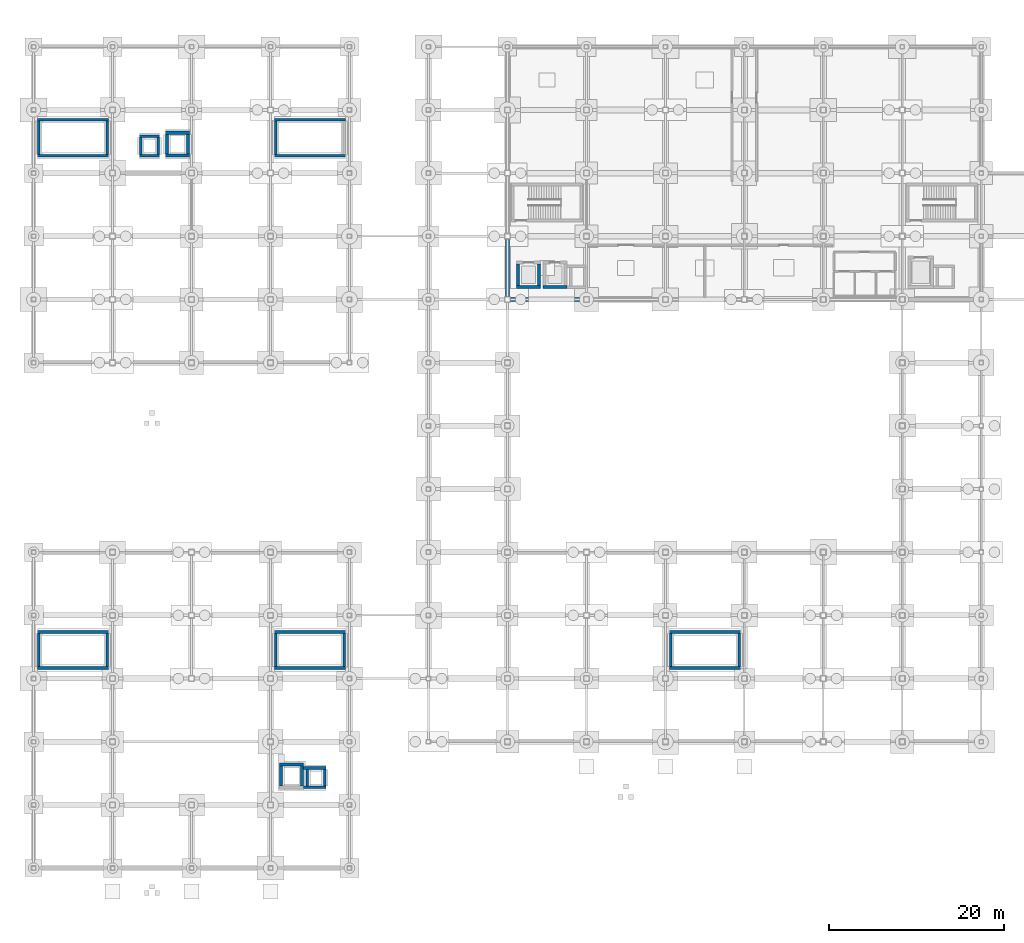
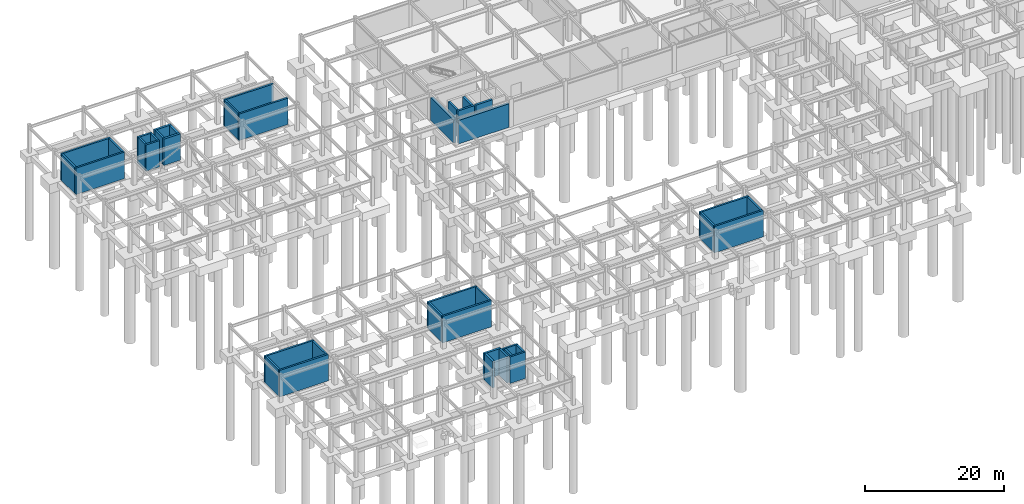
# One storey, part 21 of 28: 40 walls.
"""IFC4 building model written with IfcOpenShell, lengths in metres."""

from ifc_helpers import new_model, si_unit, direction, frame, frame_2d, origin, place, context, subcontext, project, spatial, rectangle, extrude, material, layer, layer_set, type_object, element, save


model = new_model("IFC4")

# Units and contexts
model_context = context("Model", 3, precision=1e-05, world=origin(), true_north=direction((0.0, 1.0)))
body_context = subcontext(model_context, "Body", "Model", "MODEL_VIEW")
ifc_project = project(units=[si_unit("LENGTHUNIT", "METRE"), si_unit("AREAUNIT", "SQUARE_METRE"), si_unit("VOLUMEUNIT", "CUBIC_METRE"), si_unit("PLANEANGLEUNIT", "RADIAN"), si_unit("MASSUNIT", "GRAM", prefix="KILO")], contexts=[model_context])

# Site, building, storey
site_placement = place(None, origin())
site = spatial("IfcSite", under=ifc_project, at=site_placement, CompositionType="ELEMENT")
building_placement = place(site_placement, origin())
building = spatial("IfcBuilding", under=site, at=building_placement, Name="Kazanami Central Library", CompositionType="ELEMENT")
storey_placement = place(building_placement, frame((0.0, 0.0, -4.89990234375)))
storey = spatial("IfcBuildingStorey", under=building, at=storey_placement, Name="B01", CompositionType="ELEMENT", Elevation=-4.89990234375)

# Walls
ifc_material = material(Name="Concrete Fc36 (36 MPa)", Category="concrete")
ifc_layer_1 = layer(ifc_material, 0.449951171875, Name="Concrete Fc36 (36 MPa)")
ifc_layer_set_1 = layer_set([ifc_layer_1], Name="Concrete Fc36 (36 MPa)")
wall_type_1 = type_object("IfcWallType", Name="WAL-RW-450", PredefinedType="SOLIDWALL", material=ifc_layer_set_1)
wall_1_placement = place(storey_placement, frame((54.324951171875, 64.800048828125, 0.0), z_axis=(0.0, 0.0, 1.0), x_axis=(1.0, 0.0, 0.0)))
element("IfcWall", 1, at=wall_1_placement, inside=storey, type_object=wall_type_1, Name="Basement Retaining Wall RW-450 S-K-07", PredefinedType="SOLIDWALL", context=body_context, shape_type="SweptSolid", body=[
    extrude(rectangle(XDim=8.35009765625, YDim=0.449951171875, at=frame_2d((4.175048828125, 0.0))), origin(), (0.0, 0.0, 1.0), 4.125),
])
wall_2_placement = place(storey_placement, frame((54.0, 65.125, 0.0), z_axis=(0.0, 0.0, 1.0), x_axis=(0.0, 1.0, 0.0)))
element("IfcWall", 2, at=wall_2_placement, inside=storey, type_object=wall_type_1, Name="Basement Retaining Wall RW-450 W-7-10", PredefinedType="SOLIDWALL", context=body_context, shape_type="SweptSolid", body=[
    extrude(rectangle(XDim=6.550048828125, YDim=0.449951171875, at=frame_2d((3.27490234375, 0.0))), origin(), (0.0, 0.0, 1.0), 4.02490234375),
])
ifc_layer_2 = layer(ifc_material, 0.300048828125, Name="Concrete Fc36 (36 MPa)")
ifc_layer_set_2 = layer_set([ifc_layer_2], Name="Concrete Fc36 (36 MPa)")
wall_type_2 = type_object("IfcWallType", Name="WAL-SW-300", PredefinedType="SHEAR", material=ifc_layer_set_2)
for number, where, z_axis, x_axis, name in (
    (3, (0.449951171875, 81.199951171875, 0.0), (0.0, 0.0, 1.0), (1.0, 0.0, 0.0), "Stair Sub-Grade Foundation Core Wall ST-05 S"),
    (4, (0.449951171875, 85.300048828125, 0.0), (0.0, 0.0, 1.0), (1.0, 0.0, 0.0), "Stair Sub-Grade Foundation Core Wall ST-05 N"),
):
    element("IfcWall", number, at=place(storey_placement, frame(where, z_axis=z_axis, x_axis=x_axis)), inside=storey, type_object=wall_type_2, Name=name, PredefinedType="SHEAR", context=body_context, shape_type="SweptSolid", body=[
        extrude(rectangle(XDim=8.10009765625, YDim=0.300048828125, at=frame_2d((4.050048828125, 0.0))), origin(), (0.0, 0.0, 1.0), 4.625),
    ])
for number, where, z_axis, x_axis, name in (
    (5, (0.60009765625, 81.35009765625, 0.0), (0.0, 0.0, 1.0), (0.0, 1.0, 0.0), "Stair Sub-Grade Foundation Core Wall ST-05 W"),
    (6, (8.39990234375, 81.35009765625, 0.0), (0.0, 0.0, 1.0), (0.0, 1.0, 0.0), "Stair Sub-Grade Foundation Core Wall ST-05 E"),
):
    element("IfcWall", number, at=place(storey_placement, frame(where, z_axis=z_axis, x_axis=x_axis)), inside=storey, type_object=wall_type_2, Name=name, PredefinedType="SHEAR", context=body_context, shape_type="SweptSolid", body=[
        extrude(rectangle(XDim=3.7998046875, YDim=0.300048828125, at=frame_2d((1.89990234375, 0.0))), origin(), (0.0, 0.0, 1.0), 4.625),
    ])
for number, where, z_axis, x_axis, name in (
    (7, (27.449951171875, 81.199951171875, 0.0), (0.0, 0.0, 1.0), (1.0, 0.0, 0.0), "Stair Sub-Grade Foundation Core Wall ST-06 S"),
    (8, (27.449951171875, 85.300048828125, 0.0), (0.0, 0.0, 1.0), (1.0, 0.0, 0.0), "Stair Sub-Grade Foundation Core Wall ST-06 N"),
):
    element("IfcWall", number, at=place(storey_placement, frame(where, z_axis=z_axis, x_axis=x_axis)), inside=storey, type_object=wall_type_2, Name=name, PredefinedType="SHEAR", context=body_context, shape_type="SweptSolid", body=[
        extrude(rectangle(XDim=8.10009765625, YDim=0.300048828125, at=frame_2d((4.050048828125, 0.0))), origin(), (0.0, 0.0, 1.0), 4.625),
    ])
wall_3_placement = place(storey_placement, frame((27.60009765625, 81.35009765625, 0.0), z_axis=(0.0, 0.0, 1.0), x_axis=(0.0, 1.0, 0.0)))
element("IfcWall", 9, at=wall_3_placement, inside=storey, type_object=wall_type_2, Name="Stair Sub-Grade Foundation Core Wall ST-06 W", PredefinedType="SHEAR", context=body_context, shape_type="SweptSolid", body=[
    extrude(rectangle(XDim=3.7998046875, YDim=0.300048828125, at=frame_2d((1.89990234375, 0.0))), origin(), (0.0, 0.0, 1.0), 4.625),
])
for number, where, z_axis, x_axis, name in (
    (10, (0.449951171875, 22.800048828125, 0.0), (0.0, 0.0, 1.0), (1.0, 0.0, 0.0), "Stair Sub-Grade Foundation Core Wall ST-07 S"),
    (11, (0.449951171875, 26.89990234375, 0.0), (0.0, 0.0, 1.0), (1.0, 0.0, 0.0), "Stair Sub-Grade Foundation Core Wall ST-07 N"),
):
    element("IfcWall", number, at=place(storey_placement, frame(where, z_axis=z_axis, x_axis=x_axis)), inside=storey, type_object=wall_type_2, Name=name, PredefinedType="SHEAR", context=body_context, shape_type="SweptSolid", body=[
        extrude(rectangle(XDim=8.10009765625, YDim=0.300048828125, at=frame_2d((4.050048828125, 0.0))), origin(), (0.0, 0.0, 1.0), 4.625),
    ])
for number, where, z_axis, x_axis, name in (
    (12, (0.60009765625, 22.949951171875, 0.0), (0.0, 0.0, 1.0), (0.0, 1.0, 0.0), "Stair Sub-Grade Foundation Core Wall ST-07 W"),
    (13, (8.39990234375, 22.949951171875, 0.0), (0.0, 0.0, 1.0), (0.0, 1.0, 0.0), "Stair Sub-Grade Foundation Core Wall ST-07 E"),
):
    element("IfcWall", number, at=place(storey_placement, frame(where, z_axis=z_axis, x_axis=x_axis)), inside=storey, type_object=wall_type_2, Name=name, PredefinedType="SHEAR", context=body_context, shape_type="SweptSolid", body=[
        extrude(rectangle(XDim=3.800048828125, YDim=0.300048828125, at=frame_2d((1.89990234375, 0.0))), origin(), (0.0, 0.0, 1.0), 4.625),
    ])
for number, where, z_axis, x_axis, name in (
    (14, (27.449951171875, 22.800048828125, 0.0), (0.0, 0.0, 1.0), (1.0, 0.0, 0.0), "Stair Sub-Grade Foundation Core Wall ST-08 S"),
    (15, (27.449951171875, 26.89990234375, 0.0), (0.0, 0.0, 1.0), (1.0, 0.0, 0.0), "Stair Sub-Grade Foundation Core Wall ST-08 N"),
):
    element("IfcWall", number, at=place(storey_placement, frame(where, z_axis=z_axis, x_axis=x_axis)), inside=storey, type_object=wall_type_2, Name=name, PredefinedType="SHEAR", context=body_context, shape_type="SweptSolid", body=[
        extrude(rectangle(XDim=8.10009765625, YDim=0.300048828125, at=frame_2d((4.050048828125, 0.0))), origin(), (0.0, 0.0, 1.0), 4.625),
    ])
for number, where, z_axis, x_axis, name in (
    (16, (27.60009765625, 22.949951171875, 0.0), (0.0, 0.0, 1.0), (0.0, 1.0, 0.0), "Stair Sub-Grade Foundation Core Wall ST-08 W"),
    (17, (35.39990234375, 22.949951171875, 0.0), (0.0, 0.0, 1.0), (0.0, 1.0, 0.0), "Stair Sub-Grade Foundation Core Wall ST-08 E"),
):
    element("IfcWall", number, at=place(storey_placement, frame(where, z_axis=z_axis, x_axis=x_axis)), inside=storey, type_object=wall_type_2, Name=name, PredefinedType="SHEAR", context=body_context, shape_type="SweptSolid", body=[
        extrude(rectangle(XDim=3.800048828125, YDim=0.300048828125, at=frame_2d((1.89990234375, 0.0))), origin(), (0.0, 0.0, 1.0), 4.625),
    ])
for number, where, z_axis, x_axis, name in (
    (18, (72.449951171875, 22.800048828125, 0.0), (0.0, 0.0, 1.0), (1.0, 0.0, 0.0), "Stair Sub-Grade Foundation Core Wall ST-09 S"),
    (19, (72.449951171875, 26.89990234375, 0.0), (0.0, 0.0, 1.0), (1.0, 0.0, 0.0), "Stair Sub-Grade Foundation Core Wall ST-09 N"),
):
    element("IfcWall", number, at=place(storey_placement, frame(where, z_axis=z_axis, x_axis=x_axis)), inside=storey, type_object=wall_type_2, Name=name, PredefinedType="SHEAR", context=body_context, shape_type="SweptSolid", body=[
        extrude(rectangle(XDim=8.10009765625, YDim=0.300048828125, at=frame_2d((4.050048828125, 0.0))), origin(), (0.0, 0.0, 1.0), 4.625),
    ])
for number, where, z_axis, x_axis, name in (
    (20, (72.60009765625, 22.949951171875, 0.0), (0.0, 0.0, 1.0), (0.0, 1.0, 0.0), "Stair Sub-Grade Foundation Core Wall ST-09 W"),
    (21, (80.39990234375, 22.949951171875, 0.0), (0.0, 0.0, 1.0), (0.0, 1.0, 0.0), "Stair Sub-Grade Foundation Core Wall ST-09 E"),
):
    element("IfcWall", number, at=place(storey_placement, frame(where, z_axis=z_axis, x_axis=x_axis)), inside=storey, type_object=wall_type_2, Name=name, PredefinedType="SHEAR", context=body_context, shape_type="SweptSolid", body=[
        extrude(rectangle(XDim=3.800048828125, YDim=0.300048828125, at=frame_2d((1.89990234375, 0.0))), origin(), (0.0, 0.0, 1.0), 4.625),
    ])
for number, where, z_axis, x_axis, name in (
    (22, (12.050048828125, 81.199951171875, 0.0), (0.0, 0.0, 1.0), (1.0, 0.0, 0.0), "Service Riser Wall RSR-V4-A S B01"),
    (23, (12.050048828125, 83.39990234375, 0.0), (0.0, 0.0, 1.0), (1.0, 0.0, 0.0), "Service Riser Wall RSR-V4-A N B01"),
):
    element("IfcWall", number, at=place(storey_placement, frame(where, z_axis=z_axis, x_axis=x_axis)), inside=storey, type_object=wall_type_2, Name=name, PredefinedType="SHEAR", context=body_context, shape_type="SweptSolid", body=[
        extrude(rectangle(XDim=2.300048828125, YDim=0.300048828125, at=frame_2d((1.14990234375, 0.0))), origin(), (0.0, 0.0, 1.0), 4.625),
    ])
for number, where, z_axis, x_axis, name in (
    (24, (12.199951171875, 81.35009765625, 0.0), (0.0, 0.0, 1.0), (0.0, 1.0, 0.0), "Service Riser Wall RSR-V4-A W B01"),
    (25, (14.199951171875, 81.35009765625, 0.0), (0.0, 0.0, 1.0), (0.0, 1.0, 0.0), "Service Riser Wall RSR-V4-A E B01"),
):
    element("IfcWall", number, at=place(storey_placement, frame(where, z_axis=z_axis, x_axis=x_axis)), inside=storey, type_object=wall_type_2, Name=name, PredefinedType="SHEAR", context=body_context, shape_type="SweptSolid", body=[
        extrude(rectangle(XDim=1.89990234375, YDim=0.300048828125, at=frame_2d((0.949951171875, 0.0))), origin(), (0.0, 0.0, 1.0), 4.625),
    ])
for number, where, z_axis, x_axis, name in (
    (26, (30.77490234375, 9.199951171875, 0.0), (0.0, 0.0, 1.0), (1.0, 0.0, 0.0), "Service Riser Wall RSR-V3-A S B01"),
    (27, (30.77490234375, 11.39990234375, 0.0), (0.0, 0.0, 1.0), (1.0, 0.0, 0.0), "Service Riser Wall RSR-V3-A N B01"),
):
    element("IfcWall", number, at=place(storey_placement, frame(where, z_axis=z_axis, x_axis=x_axis)), inside=storey, type_object=wall_type_2, Name=name, PredefinedType="SHEAR", context=body_context, shape_type="SweptSolid", body=[
        extrude(rectangle(XDim=2.5751953125, YDim=0.300048828125, at=frame_2d((1.28759765625, 0.0))), origin(), (0.0, 0.0, 1.0), 4.625),
    ])
for number, where, z_axis, x_axis, name in (
    (28, (31.199951171875, 9.35009765625, 0.0), (0.0, 0.0, 1.0), (0.0, 1.0, 0.0), "Service Riser Wall RSR-V3-A W B01"),
    (29, (33.199951171875, 9.35009765625, 0.0), (0.0, 0.0, 1.0), (0.0, 1.0, 0.0), "Service Riser Wall RSR-V3-A E B01"),
):
    element("IfcWall", number, at=place(storey_placement, frame(where, z_axis=z_axis, x_axis=x_axis)), inside=storey, type_object=wall_type_2, Name=name, PredefinedType="SHEAR", context=body_context, shape_type="SweptSolid", body=[
        extrude(rectangle(XDim=1.89990234375, YDim=0.300048828125, at=frame_2d((0.949951171875, 0.0))), origin(), (0.0, 0.0, 1.0), 4.625),
    ])
ifc_layer_3 = layer(ifc_material, 0.35009765625, Name="Concrete Fc36 (36 MPa)")
ifc_layer_set_3 = layer_set([ifc_layer_3], Name="Concrete Fc36 (36 MPa)")
wall_type_3 = type_object("IfcWallType", Name="WAL-SW-350", PredefinedType="SHEAR", material=ifc_layer_set_3)
wall_4_placement = place(storey_placement, frame((55.02490234375, 66.199951171875, 0.0), z_axis=(0.0, 0.0, 1.0), x_axis=(1.0, 0.0, 0.0)))
element("IfcWall", 30, at=wall_4_placement, inside=storey, type_object=wall_type_3, Name="Lift Shaft Wall EL-P2 South B01", PredefinedType="SHEAR", context=body_context, shape_type="SweptSolid", body=[
    extrude(rectangle(XDim=2.75, YDim=0.35009765625, at=frame_2d((1.375, 0.0))), origin(), (0.0, 0.0, 1.0), 4.625),
])
for number, where, z_axis, x_axis, name in (
    (31, (55.199951171875, 66.375, 0.0), (0.0, 0.0, 1.0), (0.0, 1.0, 0.0), "Lift Shaft Wall EL-P2 West B01"),
    (32, (57.60009765625, 66.375, 0.0), (0.0, 0.0, 1.0), (0.0, 1.0, 0.0), "Lift Shaft Wall EL-P2 East B01"),
):
    element("IfcWall", number, at=place(storey_placement, frame(where, z_axis=z_axis, x_axis=x_axis)), inside=storey, type_object=wall_type_3, Name=name, PredefinedType="SHEAR", context=body_context, shape_type="SweptSolid", body=[
        extrude(rectangle(XDim=2.449951171875, YDim=0.35009765625, at=frame_2d((1.22509765625, 0.0))), origin(), (0.0, 0.0, 1.0), 4.625),
    ])
for number, where, z_axis, x_axis, name in (
    (33, (58.02490234375, 66.199951171875, 0.0), (0.0, 0.0, 1.0), (1.0, 0.0, 0.0), "Lift Shaft Wall EL-P3 South B01"),
    (34, (15.02490234375, 81.199951171875, 0.0), (0.0, 0.0, 1.0), (1.0, 0.0, 0.0), "Lift Pit Foundation Wall EL-P4 S"),
    (35, (15.02490234375, 83.800048828125, 0.0), (0.0, 0.0, 1.0), (1.0, 0.0, 0.0), "Lift Pit Foundation Wall EL-P4 N"),
):
    element("IfcWall", number, at=place(storey_placement, frame(where, z_axis=z_axis, x_axis=x_axis)), inside=storey, type_object=wall_type_3, Name=name, PredefinedType="SHEAR", context=body_context, shape_type="SweptSolid", body=[
        extrude(rectangle(XDim=2.75, YDim=0.35009765625, at=frame_2d((1.375, 0.0))), origin(), (0.0, 0.0, 1.0), 4.625),
    ])
for number, where, z_axis, x_axis, name in (
    (36, (15.199951171875, 81.375, 0.0), (0.0, 0.0, 1.0), (0.0, 1.0, 0.0), "Lift Pit Foundation Wall EL-P4 W"),
    (37, (17.60009765625, 81.375, 0.0), (0.0, 0.0, 1.0), (0.0, 1.0, 0.0), "Lift Pit Foundation Wall EL-P4 E"),
):
    element("IfcWall", number, at=place(storey_placement, frame(where, z_axis=z_axis, x_axis=x_axis)), inside=storey, type_object=wall_type_3, Name=name, PredefinedType="SHEAR", context=body_context, shape_type="SweptSolid", body=[
        extrude(rectangle(XDim=2.25, YDim=0.35009765625, at=frame_2d((1.125, 0.0))), origin(), (0.0, 0.0, 1.0), 4.625),
    ])
wall_5_placement = place(storey_placement, frame((28.02490234375, 11.800048828125, 0.0), z_axis=(0.0, 0.0, 1.0), x_axis=(1.0, 0.0, 0.0)))
element("IfcWall", 38, at=wall_5_placement, inside=storey, type_object=wall_type_3, Name="Lift Pit Foundation Wall EL-P5 N", PredefinedType="SHEAR", context=body_context, shape_type="SweptSolid", body=[
    extrude(rectangle(XDim=2.75, YDim=0.35009765625, at=frame_2d((1.375, 0.0))), origin(), (0.0, 0.0, 1.0), 4.625),
])
for number, where, z_axis, x_axis, name in (
    (39, (28.199951171875, 9.375, 0.0), (0.0, 0.0, 1.0), (0.0, 1.0, 0.0), "Lift Pit Foundation Wall EL-P5 W"),
    (40, (30.60009765625, 9.375, 0.0), (0.0, 0.0, 1.0), (0.0, 1.0, 0.0), "Lift Pit Foundation Wall EL-P5 E"),
):
    element("IfcWall", number, at=place(storey_placement, frame(where, z_axis=z_axis, x_axis=x_axis)), inside=storey, type_object=wall_type_3, Name=name, PredefinedType="SHEAR", context=body_context, shape_type="SweptSolid", body=[
        extrude(rectangle(XDim=2.25, YDim=0.35009765625, at=frame_2d((1.125, 0.0))), origin(), (0.0, 0.0, 1.0), 4.625),
    ])

save(model, "model.ifc")
